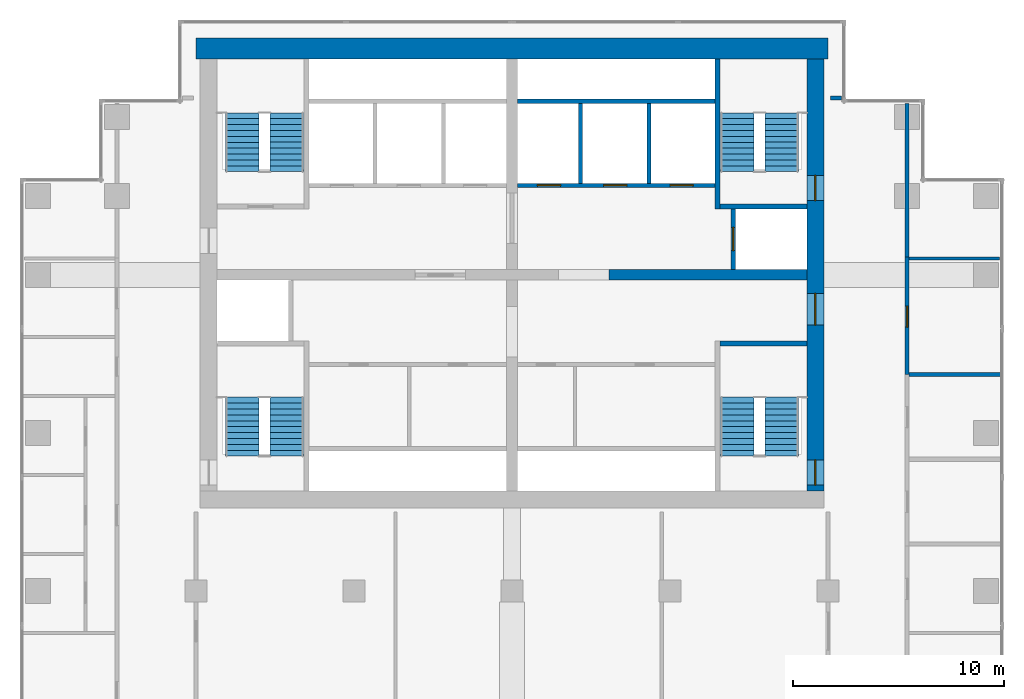
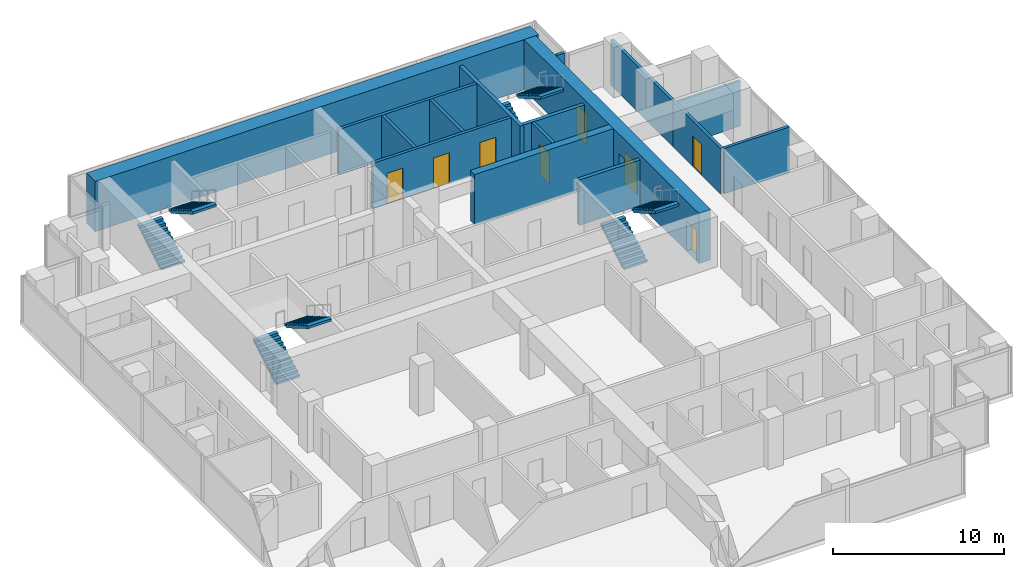
# One storey, part 9 of 10: 16 walls, 8 doors, 8 stair flights, 8 openings, 4 elements without a shape of their own.
"""IFC4 building model written with IfcOpenShell, lengths in metres."""

from ifc_helpers import new_model, si_unit, direction, frame, frame_2d, origin, place, context, subcontext, project, spatial, polyline, rectangle, outline, extrude, material, layer, layer_set, type_object, element, fill, aggregate, save


model = new_model("IFC4")

# Units and contexts
model_context = context("Model", 3, precision=1e-05, world=origin(), true_north=direction((0.0, 1.0)))
body_context = subcontext(model_context, "Body", "Model", "MODEL_VIEW")
ifc_project = project(units=[si_unit("LENGTHUNIT", "METRE"), si_unit("AREAUNIT", "SQUARE_METRE"), si_unit("VOLUMEUNIT", "CUBIC_METRE"), si_unit("PLANEANGLEUNIT", "RADIAN"), si_unit("MASSUNIT", "GRAM", prefix="KILO")], contexts=[model_context])

# Site, building, storey
site_placement = place(None, origin())
site = spatial("IfcSite", under=ifc_project, at=site_placement, CompositionType="ELEMENT")
building_placement = place(site_placement, origin())
building = spatial("IfcBuilding", under=site, at=building_placement, Name="Pilkhan Gate Tower", CompositionType="ELEMENT")
storey_placement = place(building_placement, frame((0.0, 0.0, 180.10009765625)))
storey = spatial("IfcBuildingStorey", under=building, at=storey_placement, Name="L46", CompositionType="ELEMENT", Elevation=180.10009765625)

# Wall
ifc_material_1 = material(Name="Concrete C60/75", Category="concrete")
ifc_layer_1 = layer(ifc_material_1, 1.0)
ifc_layer_set_1 = layer_set([ifc_layer_1], Name="Core wall CW1000 C60/75")
wall_type_1 = type_object("IfcWallType", Name="Core wall CW1000 C60/75", PredefinedType="SHEAR", material=ifc_layer_set_1)
wall_1_placement = place(storey_placement, frame((90.0, 93.25, 0.0), z_axis=(0.0, 0.0, 1.0), x_axis=(-1.0, 0.0, 0.0)))
element("IfcWall", 1, at=wall_1_placement, inside=storey, type_object=wall_type_1, Name="Core wall N L46", PredefinedType="SHEAR", context=body_context, shape_type="SweptSolid", body=[
    extrude(rectangle(XDim=30.0, YDim=1.0, at=frame_2d((15.0, 0.0))), origin(), (0.0, 0.0, 1.0), 3.599853515625),
])

# Wall, openings, doors
ifc_layer_2 = layer(ifc_material_1, 0.800048828125)
ifc_layer_set_2 = layer_set([ifc_layer_2], Name="Core wall CW800 C60/75")
wall_type_2 = type_object("IfcWallType", Name="Core wall CW800 C60/75", PredefinedType="SHEAR", material=ifc_layer_set_2)
wall_2_placement = place(storey_placement, frame((89.39990234375, 72.25, 0.0), z_axis=(0.0, 0.0, 1.0), x_axis=(0.0, 1.0, 0.0)))
wall_2 = element("IfcWall", 2, at=wall_2_placement, inside=storey, type_object=wall_type_2, Name="Core wall E L46", PredefinedType="SHEAR", context=body_context, shape_type="SweptSolid", body=[
    extrude(rectangle(XDim=20.5, YDim=0.800048828125, at=frame_2d((10.25, 0.0))), origin(), (0.0, 0.0, 1.0), 3.599853515625),
])
opening_1_placement = place(wall_2_placement, frame((0.27490234375, 0.0, 0.0)))
opening_1 = element("IfcOpeningElement", 3, at=opening_1_placement, cuts=wall_2, Name="Opening L46-03", PredefinedType="OPENING", context=body_context, shape_type="SweptSolid", body=[
    extrude(rectangle(XDim=1.199951171875, YDim=2.199951171875, at=frame_2d((0.60009765625, 1.10009765625))), frame((0.0, 0.409912109375, 0.0), z_axis=(0.0, -1.0, 0.0), x_axis=(1.0, 0.0, 0.0)), (0.0, 0.0, 1.0), 0.820068359375),
])
opening_2_placement = place(wall_2_placement, frame((13.77490234375, 0.0, 0.0)))
opening_2 = element("IfcOpeningElement", 4, at=opening_2_placement, cuts=wall_2, Name="Opening L46-05", PredefinedType="OPENING", context=body_context, shape_type="SweptSolid", body=[
    extrude(rectangle(XDim=1.199951171875, YDim=2.199951171875, at=frame_2d((0.60009765625, 1.10009765625))), frame((0.0, 0.409912109375, 0.0), z_axis=(0.0, -1.0, 0.0), x_axis=(1.0, 0.0, 0.0)), (0.0, 0.0, 1.0), 0.820068359375),
])
opening_3_placement = place(wall_2_placement, frame((7.875, 0.0, 0.0)))
opening_3 = element("IfcOpeningElement", 5, at=opening_3_placement, cuts=wall_2, Name="Opening L46-11", PredefinedType="OPENING", context=body_context, shape_type="SweptSolid", body=[
    extrude(rectangle(XDim=1.5, YDim=2.199951171875, at=frame_2d((0.75, 1.10009765625))), frame((0.0, 0.409912109375, 0.0), z_axis=(0.0, -1.0, 0.0), x_axis=(1.0, 0.0, 0.0)), (0.0, 0.0, 1.0), 0.820068359375),
])
ifc_material_2 = material(Name="Steel framed glazed door, 60 minute fire resisting", Category="steel")
door_type_1 = type_object("IfcDoorType", Name="Lobby door D09 1500x2200", OperationType="DOUBLE_DOOR_SINGLE_SWING", PredefinedType="DOOR", material=ifc_material_2)
door_1_placement = place(opening_3_placement, origin())
door_1 = element("IfcDoor", 6, at=door_1_placement, inside=storey, type_object=door_type_1, Name="Core door", OperationType="DOUBLE_DOOR_SINGLE_SWING", OverallHeight=2.199951171875, OverallWidth=1.5, PredefinedType="DOOR", context=body_context, shape_type="SweptSolid", body=[
    extrude(rectangle(XDim=1.5, YDim=2.199951171875, at=frame_2d((0.75, 1.10009765625))), frame((0.0, 0.02490234375, 0.0), z_axis=(0.0, -1.0, 0.0), x_axis=(1.0, 0.0, 0.0)), (0.0, 0.0, 1.0), 0.050048828125),
])
fill(opening_3, door_1)
ifc_material_3 = material(Name="Steel door, 120 minute fire resisting, panic bar", Category="steel")
door_type_2 = type_object("IfcDoorType", Name="Stair door D11 1200x2200", OperationType="SINGLE_SWING_LEFT", PredefinedType="DOOR", material=ifc_material_3)
door_2_placement = place(opening_1_placement, origin())
door_2 = element("IfcDoor", 7, at=door_2_placement, inside=storey, type_object=door_type_2, Name="Stair ST1 door", OperationType="SINGLE_SWING_RIGHT", OverallHeight=2.199951171875, OverallWidth=1.199951171875, PredefinedType="DOOR", context=body_context, shape_type="SweptSolid", body=[
    extrude(rectangle(XDim=1.199951171875, YDim=2.199951171875, at=frame_2d((0.60009765625, 1.10009765625))), frame((0.0, 0.02490234375, 0.0), z_axis=(0.0, -1.0, 0.0), x_axis=(1.0, 0.0, 0.0)), (0.0, 0.0, 1.0), 0.050048828125),
])
fill(opening_1, door_2)
door_3_placement = place(opening_2_placement, origin())
door_3 = element("IfcDoor", 8, at=door_3_placement, inside=storey, type_object=door_type_2, Name="Stair ST4 door", OperationType="SINGLE_SWING_RIGHT", OverallHeight=2.199951171875, OverallWidth=1.199951171875, PredefinedType="DOOR", context=body_context, shape_type="SweptSolid", body=[
    extrude(rectangle(XDim=1.199951171875, YDim=2.199951171875, at=frame_2d((0.60009765625, 1.10009765625))), frame((0.0, 0.02490234375, 0.0), z_axis=(0.0, -1.0, 0.0), x_axis=(1.0, 0.0, 0.0)), (0.0, 0.0, 1.0), 0.050048828125),
])
fill(opening_2, door_3)

# Wall
ifc_material_4 = material(Name="Dense blockwork", Category="masonry")
ifc_layer_3 = layer(ifc_material_4, 0.199951171875)
ifc_layer_set_3 = layer_set([ifc_layer_3], Name="Corridor wall FW200")
wall_type_3 = type_object("IfcWallType", Name="Corridor wall FW200", PredefinedType="PARTITIONING", material=ifc_layer_set_3)
wall_3_placement = place(storey_placement, frame((90.1201171875, 90.89990234375, 0.0), z_axis=(0.0, 0.0, 1.0), x_axis=(1.0, 0.0, 0.0)))
element("IfcWall", 9, at=wall_3_placement, inside=storey, type_object=wall_type_3, Name="Partition L46", PredefinedType="PARTITIONING", context=body_context, shape_type="SweptSolid", body=[
    extrude(rectangle(XDim=0.52490234375, YDim=0.199951171875, at=frame_2d((0.262451171875, 0.0))), origin(), (0.0, 0.0, 1.0), 3.25),
])

# Wall, opening, door
wall_4_placement = place(storey_placement, frame((93.75, 77.777099609375, 0.0), z_axis=(0.0, 0.0, 1.0), x_axis=(0.0, 1.0, 0.0)))
wall_4 = element("IfcWall", 10, at=wall_4_placement, inside=storey, type_object=wall_type_3, Name="Partition L46", PredefinedType="PARTITIONING", context=body_context, shape_type="SweptSolid", body=[
    extrude(rectangle(XDim=5.577880859375, YDim=0.199951171875, at=frame_2d((2.7890625, 0.0))), origin(), (0.0, 0.0, 1.0), 3.25),
])
opening_4_placement = place(wall_4_placement, frame((2.25, 0.0, 0.0)))
opening_4 = element("IfcOpeningElement", 11, at=opening_4_placement, cuts=wall_4, Name="Opening L46-38", PredefinedType="OPENING", context=body_context, shape_type="SweptSolid", body=[
    extrude(rectangle(XDim=1.0, YDim=2.199951171875, at=frame_2d((0.5, 1.10009765625))), frame((0.0, 0.10986328125, 0.0), z_axis=(0.0, -1.0, 0.0), x_axis=(1.0, 0.0, 0.0)), (0.0, 0.0, 1.0), 0.219970703125),
])
ifc_material_5 = material(Name="Timber flush door, 30 minute fire resisting", Category="wood")
door_type_3 = type_object("IfcDoorType", Name="Room door D03 1000x2200", OperationType="SINGLE_SWING_LEFT", PredefinedType="DOOR", material=ifc_material_5)
door_4_placement = place(opening_4_placement, origin())
door_4 = element("IfcDoor", 12, at=door_4_placement, inside=storey, type_object=door_type_3, Name="Room door", OperationType="SINGLE_SWING_LEFT", OverallHeight=2.199951171875, OverallWidth=1.0, PredefinedType="DOOR", context=body_context, shape_type="SweptSolid", body=[
    extrude(rectangle(XDim=1.0, YDim=2.199951171875, at=frame_2d((0.5, 1.10009765625))), frame((0.0, 0.02490234375, 0.0), z_axis=(0.0, -1.0, 0.0), x_axis=(1.0, 0.0, 0.0)), (0.0, 0.0, 1.0), 0.050048828125),
])
fill(opening_4, door_4)

# Walls
wall_5_placement = place(storey_placement, frame((93.75, 83.31005859375, 0.0), z_axis=(0.0, 0.0, 1.0), x_axis=(0.0, 1.0, 0.0)))
element("IfcWall", 13, at=wall_5_placement, inside=storey, type_object=wall_type_3, Name="Partition L46", PredefinedType="PARTITIONING", context=body_context, shape_type="SweptSolid", body=[
    extrude(rectangle(XDim=7.3349609375, YDim=0.199951171875, at=frame_2d((3.66748046875, 0.0))), origin(), (0.0, 0.0, 1.0), 3.25),
])
ifc_layer_4 = layer(ifc_material_4, 0.199951171875)
ifc_layer_set_4 = layer_set([ifc_layer_4], Name="Lobby wall LW200")
wall_type_4 = type_object("IfcWallType", Name="Lobby wall LW200", PredefinedType="PARTITIONING", material=ifc_layer_set_4)
wall_6_placement = place(storey_placement, frame((93.85009765625, 77.777099609375, 0.0), z_axis=(0.0, 0.0, 1.0), x_axis=(1.0, 0.0, 0.0)))
element("IfcWall", 14, at=wall_6_placement, inside=storey, type_object=wall_type_4, Name="Partition L46", PredefinedType="PARTITIONING", context=body_context, shape_type="SweptSolid", body=[
    extrude(rectangle(XDim=4.414794921875, YDim=0.199951171875, at=frame_2d((2.20751953125, 0.0))), origin(), (0.0, 0.0, 1.0), 3.25),
])
ifc_material_6 = material(Name="Blockwork partition, plastered both sides", Category="masonry")
ifc_layer_5 = layer(ifc_material_6, 0.14990234375)
ifc_layer_set_5 = layer_set([ifc_layer_5], Name="Partition PW150")
wall_type_5 = type_object("IfcWallType", Name="Partition PW150", PredefinedType="PARTITIONING", material=ifc_layer_set_5)
wall_7_placement = place(storey_placement, frame((93.85009765625, 83.280029296875, 0.0), z_axis=(0.0, 0.0, 1.0), x_axis=(1.0, 0.0, 0.0)))
element("IfcWall", 15, at=wall_7_placement, inside=storey, type_object=wall_type_5, Name="Partition L46", PredefinedType="PARTITIONING", context=body_context, shape_type="SweptSolid", body=[
    extrude(rectangle(XDim=4.294921875, YDim=0.14990234375, at=frame_2d((2.1474609375, 0.0))), origin(), (0.0, 0.0, 1.0), 3.25),
])

# Wall, openings, doors
ifc_material_7 = material(Name="Reinforced blockwork shaft wall, 120 minute fire resisting", Category="masonry")
ifc_layer_6 = layer(ifc_material_7, 0.199951171875)
ifc_layer_set_6 = layer_set([ifc_layer_6], Name="Shaft wall SW200")
wall_type_6 = type_object("IfcWallType", Name="Shaft wall SW200", PredefinedType="PARTITIONING", material=ifc_layer_set_6)
wall_8_placement = place(storey_placement, frame((75.260009765625, 86.75, 0.0), z_axis=(0.0, 0.0, 1.0), x_axis=(1.0, 0.0, 0.0)))
wall_8 = element("IfcWall", 16, at=wall_8_placement, inside=storey, type_object=wall_type_6, Name="Partition L46", PredefinedType="PARTITIONING", context=body_context, shape_type="SweptSolid", body=[
    extrude(rectangle(XDim=9.364990234375, YDim=0.199951171875, at=frame_2d((4.6826171875, 0.0))), origin(), (0.0, 0.0, 1.0), 3.25),
])
opening_5_placement = place(wall_8_placement, frame((0.949951171875, 0.0, 0.0)))
opening_5 = element("IfcOpeningElement", 17, at=opening_5_placement, cuts=wall_8, Name="Opening LD", PredefinedType="OPENING", context=body_context, shape_type="SweptSolid", body=[
    extrude(rectangle(XDim=1.10009765625, YDim=2.199951171875, at=frame_2d((0.550048828125, 1.10009765625))), frame((0.0, 0.10986328125, 0.0), z_axis=(0.0, -1.0, 0.0), x_axis=(1.0, 0.0, 0.0)), (0.0, 0.0, 1.0), 0.219970703125),
])
opening_6_placement = place(wall_8_placement, frame((4.090087890625, 0.0, 0.0)))
opening_6 = element("IfcOpeningElement", 18, at=opening_6_placement, cuts=wall_8, Name="Opening LD", PredefinedType="OPENING", context=body_context, shape_type="SweptSolid", body=[
    extrude(rectangle(XDim=1.10009765625, YDim=2.199951171875, at=frame_2d((0.550048828125, 1.10009765625))), frame((0.0, 0.10986328125, 0.0), z_axis=(0.0, -1.0, 0.0), x_axis=(1.0, 0.0, 0.0)), (0.0, 0.0, 1.0), 0.219970703125),
])
opening_7_placement = place(wall_8_placement, frame((7.239990234375, 0.0, 0.0)))
opening_7 = element("IfcOpeningElement", 19, at=opening_7_placement, cuts=wall_8, Name="Opening LD", PredefinedType="OPENING", context=body_context, shape_type="SweptSolid", body=[
    extrude(rectangle(XDim=1.10009765625, YDim=2.199951171875, at=frame_2d((0.550048828125, 1.10009765625))), frame((0.0, 0.10986328125, 0.0), z_axis=(0.0, -1.0, 0.0), x_axis=(1.0, 0.0, 0.0)), (0.0, 0.0, 1.0), 0.219970703125),
])
ifc_material_8 = material(Name="Stainless steel centre-opening landing door, 120 minute fire resisting", Category="steel")
door_type_4 = type_object("IfcDoorType", Name="Lift landing door LD 1100x2200", OperationType="DOUBLE_DOOR_SLIDING", PredefinedType="DOOR", material=ifc_material_8)
door_5_placement = place(opening_5_placement, origin())
door_5 = element("IfcDoor", 20, at=door_5_placement, inside=storey, type_object=door_type_4, Name="Landing door HR1", OperationType="DOUBLE_DOOR_SLIDING", OverallHeight=2.199951171875, OverallWidth=1.10009765625, PredefinedType="DOOR", context=body_context, shape_type="SweptSolid", body=[
    extrude(rectangle(XDim=1.10009765625, YDim=2.199951171875, at=frame_2d((0.550048828125, 1.10009765625))), frame((0.0, 0.02490234375, 0.0), z_axis=(0.0, -1.0, 0.0), x_axis=(1.0, 0.0, 0.0)), (0.0, 0.0, 1.0), 0.050048828125),
])
fill(opening_5, door_5)
door_6_placement = place(opening_6_placement, origin())
door_6 = element("IfcDoor", 21, at=door_6_placement, inside=storey, type_object=door_type_4, Name="Landing door HR2", OperationType="DOUBLE_DOOR_SLIDING", OverallHeight=2.199951171875, OverallWidth=1.10009765625, PredefinedType="DOOR", context=body_context, shape_type="SweptSolid", body=[
    extrude(rectangle(XDim=1.10009765625, YDim=2.199951171875, at=frame_2d((0.550048828125, 1.10009765625))), frame((0.0, 0.02490234375, 0.0), z_axis=(0.0, -1.0, 0.0), x_axis=(1.0, 0.0, 0.0)), (0.0, 0.0, 1.0), 0.050048828125),
])
fill(opening_6, door_6)
door_7_placement = place(opening_7_placement, origin())
door_7 = element("IfcDoor", 22, at=door_7_placement, inside=storey, type_object=door_type_4, Name="Landing door HR3", OperationType="DOUBLE_DOOR_SLIDING", OverallHeight=2.199951171875, OverallWidth=1.10009765625, PredefinedType="DOOR", context=body_context, shape_type="SweptSolid", body=[
    extrude(rectangle(XDim=1.10009765625, YDim=2.199951171875, at=frame_2d((0.550048828125, 1.10009765625))), frame((0.0, 0.02490234375, 0.0), z_axis=(0.0, -1.0, 0.0), x_axis=(1.0, 0.0, 0.0)), (0.0, 0.0, 1.0), 0.050048828125),
])
fill(opening_7, door_7)

# Walls
wall_9_placement = place(storey_placement, frame((75.260009765625, 90.75, 0.0), z_axis=(0.0, 0.0, 1.0), x_axis=(1.0, 0.0, 0.0)))
element("IfcWall", 23, at=wall_9_placement, inside=storey, type_object=wall_type_6, Name="Partition L46", PredefinedType="PARTITIONING", context=body_context, shape_type="SweptSolid", body=[
    extrude(rectangle(XDim=9.364990234375, YDim=0.199951171875, at=frame_2d((4.6826171875, 0.0))), origin(), (0.0, 0.0, 1.0), 3.25),
])
for number, where, z_axis, x_axis, name in (
    (24, (78.25, 86.85009765625, 0.0), (0.0, 0.0, 1.0), (0.0, 1.0, 0.0), "Partition L46"),
    (25, (81.5, 86.85009765625, 0.0), (0.0, 0.0, 1.0), (0.0, 1.0, 0.0), "Partition L46"),
):
    element("IfcWall", number, at=place(storey_placement, frame(where, z_axis=z_axis, x_axis=x_axis)), inside=storey, type_object=wall_type_6, Name=name, PredefinedType="PARTITIONING", context=body_context, shape_type="SweptSolid", body=[
        extrude(rectangle(XDim=3.7998046875, YDim=0.199951171875, at=frame_2d((1.89990234375, 0.0))), origin(), (0.0, 0.0, 1.0), 3.25),
    ])

# Wall, opening, door
wall_10_placement = place(storey_placement, frame((85.5, 82.760009765625, 0.0), z_axis=(0.0, 0.0, 1.0), x_axis=(0.0, 1.0, 0.0)))
wall_10 = element("IfcWall", 26, at=wall_10_placement, inside=storey, type_object=wall_type_6, Name="Partition L46", PredefinedType="PARTITIONING", context=body_context, shape_type="SweptSolid", body=[
    extrude(rectangle(XDim=2.864990234375, YDim=0.199951171875, at=frame_2d((1.4326171875, 0.0))), origin(), (0.0, 0.0, 1.0), 3.25),
])
opening_8_placement = place(wall_10_placement, frame((0.89990234375, 0.0, 0.0)))
opening_8 = element("IfcOpeningElement", 27, at=opening_8_placement, cuts=wall_10, Name="Opening LD", PredefinedType="OPENING", context=body_context, shape_type="SweptSolid", body=[
    extrude(rectangle(XDim=1.10009765625, YDim=2.199951171875, at=frame_2d((0.550048828125, 1.10009765625))), frame((0.0, 0.10986328125, 0.0), z_axis=(0.0, -1.0, 0.0), x_axis=(1.0, 0.0, 0.0)), (0.0, 0.0, 1.0), 0.219970703125),
])
door_8_placement = place(opening_8_placement, origin())
door_8 = element("IfcDoor", 28, at=door_8_placement, inside=storey, type_object=door_type_4, Name="Landing door HR4", OperationType="DOUBLE_DOOR_SLIDING", OverallHeight=2.199951171875, OverallWidth=1.10009765625, PredefinedType="DOOR", context=body_context, shape_type="SweptSolid", body=[
    extrude(rectangle(XDim=1.10009765625, YDim=2.199951171875, at=frame_2d((0.550048828125, 1.10009765625))), frame((0.0, 0.02490234375, 0.0), z_axis=(0.0, -1.0, 0.0), x_axis=(1.0, 0.0, 0.0)), (0.0, 0.0, 1.0), 0.050048828125),
])
fill(opening_8, door_8)

# Walls
ifc_layer_7 = layer(ifc_material_1, 0.5)
ifc_layer_set_7 = layer_set([ifc_layer_7], Name="Spine wall SW500 C60/75")
wall_type_7 = type_object("IfcWallType", Name="Spine wall SW500 C60/75", PredefinedType="SHEAR", material=ifc_layer_set_7)
wall_11_placement = place(storey_placement, frame((79.60009765625, 82.5, 0.0), z_axis=(0.0, 0.0, 1.0), x_axis=(1.0, 0.0, 0.0)))
element("IfcWall", 29, at=wall_11_placement, inside=storey, type_object=wall_type_7, Name="Spine wall SP-EW3 L46", PredefinedType="SHEAR", context=body_context, shape_type="SweptSolid", body=[
    extrude(rectangle(XDim=9.39990234375, YDim=0.5, at=frame_2d((4.699951171875, 0.0))), origin(), (0.0, 0.0, 1.0), 3.599853515625),
])
ifc_material_9 = material(Name="Reinforced blockwork, 120 minute fire resisting", Category="masonry")
ifc_layer_8 = layer(ifc_material_9, 0.25)
ifc_layer_set_8 = layer_set([ifc_layer_8], Name="Stair enclosure wall SE250")
wall_type_8 = type_object("IfcWallType", Name="Stair enclosure wall SE250", PredefinedType="PARTITIONING", material=ifc_layer_set_8)
for number, where, z_axis, x_axis, name in (
    (30, (84.875, 79.25, 0.0), (0.0, 0.0, 1.0), (1.0, 0.0, 0.0), "Partition L46"),
    (31, (84.875, 85.75, 0.0), (0.0, 0.0, 1.0), (1.0, 0.0, 0.0), "Partition L46"),
):
    element("IfcWall", number, at=place(storey_placement, frame(where, z_axis=z_axis, x_axis=x_axis)), inside=storey, type_object=wall_type_8, Name=name, PredefinedType="PARTITIONING", context=body_context, shape_type="SweptSolid", body=[
        extrude(rectangle(XDim=4.125, YDim=0.25, at=frame_2d((2.0625, 0.0))), origin(), (0.0, 0.0, 1.0), 3.25),
    ])
wall_12_placement = place(storey_placement, frame((84.75, 85.625, 0.0), z_axis=(0.0, 0.0, 1.0), x_axis=(0.0, 1.0, 0.0)))
element("IfcWall", 32, at=wall_12_placement, inside=storey, type_object=wall_type_8, Name="Partition L46", PredefinedType="PARTITIONING", context=body_context, shape_type="SweptSolid", body=[
    extrude(rectangle(XDim=7.114990234375, YDim=0.25, at=frame_2d((3.5576171875, 0.0))), origin(), (0.0, 0.0, 1.0), 3.25),
])

# Stair, stair flights
ifc_material_10 = material(Name="Concrete C40/50 precast", Category="concrete")
stair_type_1 = type_object("IfcStairType", Name="Stair ST1 164x280", PredefinedType="HALF_TURN_STAIR", material=ifc_material_10)
stair_1_placement = place(storey_placement, origin())
stair_1 = element("IfcStair", 33, at=stair_1_placement, inside=storey, type_object=stair_type_1, Name="Stair ST1 L46", PredefinedType="HALF_TURN_STAIR")
stair_flight_type_1 = type_object("IfcStairFlightType", Name="Stair flight ST1 164x280x11", PredefinedType="STRAIGHT", material=ifc_material_10)
stair_flight_1_placement = place(storey_placement, frame((85.68994140625, 73.89990234375, 0.0), z_axis=(0.0, 0.0, 1.0), x_axis=(0.0, 1.0, 0.0)))
stair_flight_1 = element("IfcStairFlight", 34, at=stair_flight_1_placement, type_object=stair_flight_type_1, Name="ST1 flight 1", NumberOfRisers=11, NumberOfTreads=10, PredefinedType="STRAIGHT", RiserHeight=0.163636364, TreadLength=0.28, context=body_context, shape_type="SweptSolid", body=[
    extrude(outline(polyline([(0.0, 0.0), (0.0, 0.16357421875), (0.280029296875, 0.16357421875), (0.280029296875, 0.327392578125), (0.56005859375, 0.327392578125), (0.56005859375, 0.490966796875), (0.840087890625, 0.490966796875), (0.840087890625, 0.654541015625), (1.1201171875, 0.654541015625), (1.1201171875, 0.818115234375), (1.39990234375, 0.818115234375), (1.39990234375, 0.98193359375), (1.679931640625, 0.98193359375), (1.679931640625, 1.1455078125), (1.9599609375, 1.1455078125), (1.9599609375, 1.30908203125), (2.239990234375, 1.30908203125), (2.239990234375, 1.47265625), (2.52001953125, 1.47265625), (2.52001953125, 1.636474609375), (2.800048828125, 1.636474609375), (2.800048828125, 1.800048828125), (2.800048828125, 1.462646484375), (0.297119140625, 0.0), (0.0, 0.0)])), frame((0.0, 0.7900390625, 0.0), z_axis=(0.0, -1.0, 0.0), x_axis=(1.0, 0.0, 0.0)), (0.0, 0.0, 1.0), 1.580078125),
])
stair_flight_2_placement = place(storey_placement, frame((87.81005859375, 76.699951171875, 1.7998046875), z_axis=(0.0, 0.0, 1.0), x_axis=(0.0, -1.0, 0.0)))
stair_flight_2 = element("IfcStairFlight", 35, at=stair_flight_2_placement, type_object=stair_flight_type_1, Name="ST1 flight 2", NumberOfRisers=11, NumberOfTreads=10, PredefinedType="STRAIGHT", RiserHeight=0.163636364, TreadLength=0.28, context=body_context, shape_type="SweptSolid", body=[
    extrude(outline(polyline([(0.0, 0.0), (0.0, 0.16357421875), (0.280029296875, 0.16357421875), (0.280029296875, 0.327392578125), (0.56005859375, 0.327392578125), (0.56005859375, 0.490966796875), (0.840087890625, 0.490966796875), (0.840087890625, 0.654541015625), (1.1201171875, 0.654541015625), (1.1201171875, 0.818115234375), (1.39990234375, 0.818115234375), (1.39990234375, 0.98193359375), (1.679931640625, 0.98193359375), (1.679931640625, 1.1455078125), (1.9599609375, 1.1455078125), (1.9599609375, 1.30908203125), (2.239990234375, 1.30908203125), (2.239990234375, 1.47265625), (2.52001953125, 1.47265625), (2.52001953125, 1.636474609375), (2.800048828125, 1.636474609375), (2.800048828125, 1.800048828125), (2.800048828125, 1.462646484375), (0.297119140625, 0.0), (0.0, 0.0)])), frame((0.0, 0.7900390625, 0.0), z_axis=(0.0, -1.0, 0.0), x_axis=(1.0, 0.0, 0.0)), (0.0, 0.0, 1.0), 1.580078125),
])
aggregate(stair_1, [stair_flight_1, stair_flight_2])

stair_type_2 = type_object("IfcStairType", Name="Stair ST2 164x280", PredefinedType="HALF_TURN_STAIR", material=ifc_material_10)
stair_2_placement = place(storey_placement, origin())
stair_2 = element("IfcStair", 36, at=stair_2_placement, inside=storey, type_object=stair_type_2, Name="Stair ST2 L46", PredefinedType="HALF_TURN_STAIR")
stair_flight_type_2 = type_object("IfcStairFlightType", Name="Stair flight ST2 164x280x11", PredefinedType="STRAIGHT", material=ifc_material_10)
stair_flight_3_placement = place(storey_placement, frame((62.18994140625, 73.89990234375, 0.0), z_axis=(0.0, 0.0, 1.0), x_axis=(0.0, 1.0, 0.0)))
stair_flight_3 = element("IfcStairFlight", 37, at=stair_flight_3_placement, type_object=stair_flight_type_2, Name="ST2 flight 1", NumberOfRisers=11, NumberOfTreads=10, PredefinedType="STRAIGHT", RiserHeight=0.163636364, TreadLength=0.28, context=body_context, shape_type="SweptSolid", body=[
    extrude(outline(polyline([(0.0, 0.0), (0.0, 0.16357421875), (0.280029296875, 0.16357421875), (0.280029296875, 0.327392578125), (0.56005859375, 0.327392578125), (0.56005859375, 0.490966796875), (0.840087890625, 0.490966796875), (0.840087890625, 0.654541015625), (1.1201171875, 0.654541015625), (1.1201171875, 0.818115234375), (1.39990234375, 0.818115234375), (1.39990234375, 0.98193359375), (1.679931640625, 0.98193359375), (1.679931640625, 1.1455078125), (1.9599609375, 1.1455078125), (1.9599609375, 1.30908203125), (2.239990234375, 1.30908203125), (2.239990234375, 1.47265625), (2.52001953125, 1.47265625), (2.52001953125, 1.636474609375), (2.800048828125, 1.636474609375), (2.800048828125, 1.800048828125), (2.800048828125, 1.462646484375), (0.297119140625, 0.0), (0.0, 0.0)])), frame((0.0, 0.7900390625, 0.0), z_axis=(0.0, -1.0, 0.0), x_axis=(1.0, 0.0, 0.0)), (0.0, 0.0, 1.0), 1.580078125),
])
stair_flight_4_placement = place(storey_placement, frame((64.31005859375, 76.699951171875, 1.7998046875), z_axis=(0.0, 0.0, 1.0), x_axis=(0.0, -1.0, 0.0)))
stair_flight_4 = element("IfcStairFlight", 38, at=stair_flight_4_placement, type_object=stair_flight_type_2, Name="ST2 flight 2", NumberOfRisers=11, NumberOfTreads=10, PredefinedType="STRAIGHT", RiserHeight=0.163636364, TreadLength=0.28, context=body_context, shape_type="SweptSolid", body=[
    extrude(outline(polyline([(0.0, 0.0), (0.0, 0.16357421875), (0.280029296875, 0.16357421875), (0.280029296875, 0.327392578125), (0.56005859375, 0.327392578125), (0.56005859375, 0.490966796875), (0.840087890625, 0.490966796875), (0.840087890625, 0.654541015625), (1.1201171875, 0.654541015625), (1.1201171875, 0.818115234375), (1.39990234375, 0.818115234375), (1.39990234375, 0.98193359375), (1.679931640625, 0.98193359375), (1.679931640625, 1.1455078125), (1.9599609375, 1.1455078125), (1.9599609375, 1.30908203125), (2.239990234375, 1.30908203125), (2.239990234375, 1.47265625), (2.52001953125, 1.47265625), (2.52001953125, 1.636474609375), (2.800048828125, 1.636474609375), (2.800048828125, 1.800048828125), (2.800048828125, 1.462646484375), (0.297119140625, 0.0), (0.0, 0.0)])), frame((0.0, 0.7900390625, 0.0), z_axis=(0.0, -1.0, 0.0), x_axis=(1.0, 0.0, 0.0)), (0.0, 0.0, 1.0), 1.580078125),
])
aggregate(stair_2, [stair_flight_3, stair_flight_4])

stair_type_3 = type_object("IfcStairType", Name="Stair ST3 164x280", PredefinedType="HALF_TURN_STAIR", material=ifc_material_10)
stair_3_placement = place(storey_placement, origin())
stair_3 = element("IfcStair", 39, at=stair_3_placement, inside=storey, type_object=stair_type_3, Name="Stair ST3 L46", PredefinedType="HALF_TURN_STAIR")
stair_flight_type_3 = type_object("IfcStairFlightType", Name="Stair flight ST3 164x280x11", PredefinedType="STRAIGHT", material=ifc_material_10)
stair_flight_5_placement = place(storey_placement, frame((62.18994140625, 87.39990234375, 0.0), z_axis=(0.0, 0.0, 1.0), x_axis=(0.0, 1.0, 0.0)))
stair_flight_5 = element("IfcStairFlight", 40, at=stair_flight_5_placement, type_object=stair_flight_type_3, Name="ST3 flight 1", NumberOfRisers=11, NumberOfTreads=10, PredefinedType="STRAIGHT", RiserHeight=0.163636364, TreadLength=0.28, context=body_context, shape_type="SweptSolid", body=[
    extrude(outline(polyline([(0.0, 0.0), (0.0, 0.16357421875), (0.280029296875, 0.16357421875), (0.280029296875, 0.327392578125), (0.56005859375, 0.327392578125), (0.56005859375, 0.490966796875), (0.840087890625, 0.490966796875), (0.840087890625, 0.654541015625), (1.1201171875, 0.654541015625), (1.1201171875, 0.818115234375), (1.39990234375, 0.818115234375), (1.39990234375, 0.98193359375), (1.679931640625, 0.98193359375), (1.679931640625, 1.1455078125), (1.9599609375, 1.1455078125), (1.9599609375, 1.30908203125), (2.239990234375, 1.30908203125), (2.239990234375, 1.47265625), (2.52001953125, 1.47265625), (2.52001953125, 1.636474609375), (2.800048828125, 1.636474609375), (2.800048828125, 1.800048828125), (2.800048828125, 1.462646484375), (0.297119140625, 0.0), (0.0, 0.0)])), frame((0.0, 0.7900390625, 0.0), z_axis=(0.0, -1.0, 0.0), x_axis=(1.0, 0.0, 0.0)), (0.0, 0.0, 1.0), 1.580078125),
])
stair_flight_6_placement = place(storey_placement, frame((64.31005859375, 90.199951171875, 1.7998046875), z_axis=(0.0, 0.0, 1.0), x_axis=(0.0, -1.0, 0.0)))
stair_flight_6 = element("IfcStairFlight", 41, at=stair_flight_6_placement, type_object=stair_flight_type_3, Name="ST3 flight 2", NumberOfRisers=11, NumberOfTreads=10, PredefinedType="STRAIGHT", RiserHeight=0.163636364, TreadLength=0.28, context=body_context, shape_type="SweptSolid", body=[
    extrude(outline(polyline([(0.0, 0.0), (0.0, 0.16357421875), (0.280029296875, 0.16357421875), (0.280029296875, 0.327392578125), (0.56005859375, 0.327392578125), (0.56005859375, 0.490966796875), (0.840087890625, 0.490966796875), (0.840087890625, 0.654541015625), (1.1201171875, 0.654541015625), (1.1201171875, 0.818115234375), (1.39990234375, 0.818115234375), (1.39990234375, 0.98193359375), (1.679931640625, 0.98193359375), (1.679931640625, 1.1455078125), (1.9599609375, 1.1455078125), (1.9599609375, 1.30908203125), (2.239990234375, 1.30908203125), (2.239990234375, 1.47265625), (2.52001953125, 1.47265625), (2.52001953125, 1.636474609375), (2.800048828125, 1.636474609375), (2.800048828125, 1.800048828125), (2.800048828125, 1.462646484375), (0.297119140625, 0.0), (0.0, 0.0)])), frame((0.0, 0.7900390625, 0.0), z_axis=(0.0, -1.0, 0.0), x_axis=(1.0, 0.0, 0.0)), (0.0, 0.0, 1.0), 1.580078125),
])
aggregate(stair_3, [stair_flight_5, stair_flight_6])

stair_type_4 = type_object("IfcStairType", Name="Stair ST4 164x280", PredefinedType="HALF_TURN_STAIR", material=ifc_material_10)
stair_4_placement = place(storey_placement, origin())
stair_4 = element("IfcStair", 42, at=stair_4_placement, inside=storey, type_object=stair_type_4, Name="Stair ST4 L46", PredefinedType="HALF_TURN_STAIR")
stair_flight_type_4 = type_object("IfcStairFlightType", Name="Stair flight ST4 164x280x11", PredefinedType="STRAIGHT", material=ifc_material_10)
stair_flight_7_placement = place(storey_placement, frame((85.68994140625, 87.39990234375, 0.0), z_axis=(0.0, 0.0, 1.0), x_axis=(0.0, 1.0, 0.0)))
stair_flight_7 = element("IfcStairFlight", 43, at=stair_flight_7_placement, type_object=stair_flight_type_4, Name="ST4 flight 1", NumberOfRisers=11, NumberOfTreads=10, PredefinedType="STRAIGHT", RiserHeight=0.163636364, TreadLength=0.28, context=body_context, shape_type="SweptSolid", body=[
    extrude(outline(polyline([(0.0, 0.0), (0.0, 0.16357421875), (0.280029296875, 0.16357421875), (0.280029296875, 0.327392578125), (0.56005859375, 0.327392578125), (0.56005859375, 0.490966796875), (0.840087890625, 0.490966796875), (0.840087890625, 0.654541015625), (1.1201171875, 0.654541015625), (1.1201171875, 0.818115234375), (1.39990234375, 0.818115234375), (1.39990234375, 0.98193359375), (1.679931640625, 0.98193359375), (1.679931640625, 1.1455078125), (1.9599609375, 1.1455078125), (1.9599609375, 1.30908203125), (2.239990234375, 1.30908203125), (2.239990234375, 1.47265625), (2.52001953125, 1.47265625), (2.52001953125, 1.636474609375), (2.800048828125, 1.636474609375), (2.800048828125, 1.800048828125), (2.800048828125, 1.462646484375), (0.297119140625, 0.0), (0.0, 0.0)])), frame((0.0, 0.7900390625, 0.0), z_axis=(0.0, -1.0, 0.0), x_axis=(1.0, 0.0, 0.0)), (0.0, 0.0, 1.0), 1.580078125),
])
stair_flight_8_placement = place(storey_placement, frame((87.81005859375, 90.199951171875, 1.7998046875), z_axis=(0.0, 0.0, 1.0), x_axis=(0.0, -1.0, 0.0)))
stair_flight_8 = element("IfcStairFlight", 44, at=stair_flight_8_placement, type_object=stair_flight_type_4, Name="ST4 flight 2", NumberOfRisers=11, NumberOfTreads=10, PredefinedType="STRAIGHT", RiserHeight=0.163636364, TreadLength=0.28, context=body_context, shape_type="SweptSolid", body=[
    extrude(outline(polyline([(0.0, 0.0), (0.0, 0.16357421875), (0.280029296875, 0.16357421875), (0.280029296875, 0.327392578125), (0.56005859375, 0.327392578125), (0.56005859375, 0.490966796875), (0.840087890625, 0.490966796875), (0.840087890625, 0.654541015625), (1.1201171875, 0.654541015625), (1.1201171875, 0.818115234375), (1.39990234375, 0.818115234375), (1.39990234375, 0.98193359375), (1.679931640625, 0.98193359375), (1.679931640625, 1.1455078125), (1.9599609375, 1.1455078125), (1.9599609375, 1.30908203125), (2.239990234375, 1.30908203125), (2.239990234375, 1.47265625), (2.52001953125, 1.47265625), (2.52001953125, 1.636474609375), (2.800048828125, 1.636474609375), (2.800048828125, 1.800048828125), (2.800048828125, 1.462646484375), (0.297119140625, 0.0), (0.0, 0.0)])), frame((0.0, 0.7900390625, 0.0), z_axis=(0.0, -1.0, 0.0), x_axis=(1.0, 0.0, 0.0)), (0.0, 0.0, 1.0), 1.580078125),
])
aggregate(stair_4, [stair_flight_7, stair_flight_8])

save(model, "model.ifc")
